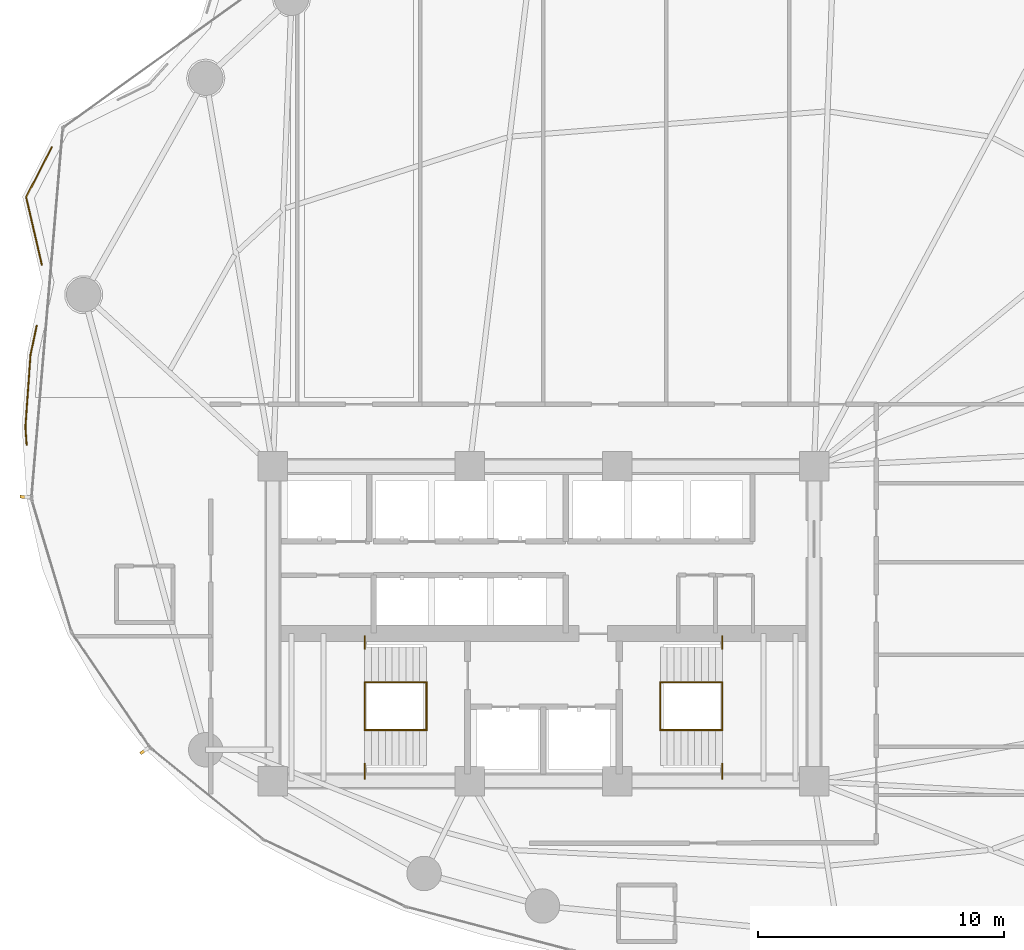
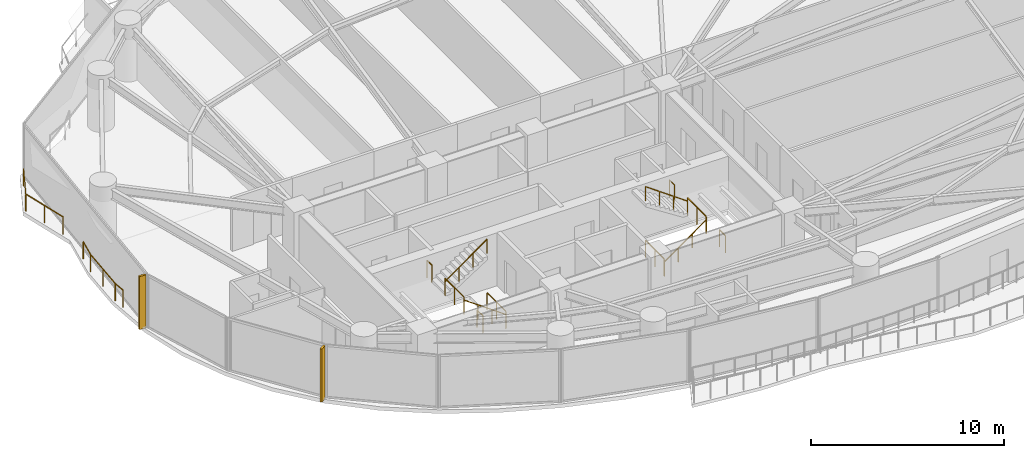
# One storey, part 28 of 30: 14 railings, 2 shading devices.
"""IFC4 building model written with IfcOpenShell, lengths in metres."""

from ifc_helpers import new_model, si_unit, direction, frame, origin, origin_2d, place, context, subcontext, project, spatial, rectangle, extrude, material, type_object, element, save


model = new_model("IFC4")

# Units and contexts
model_context = context("Model", 3, precision=1e-05, world=origin(), true_north=direction((0.0, 1.0)))
body_context = subcontext(model_context, "Body", "Model", "MODEL_VIEW")
ifc_project = project(units=[si_unit("LENGTHUNIT", "METRE"), si_unit("AREAUNIT", "SQUARE_METRE"), si_unit("VOLUMEUNIT", "CUBIC_METRE"), si_unit("PLANEANGLEUNIT", "RADIAN"), si_unit("MASSUNIT", "GRAM", prefix="KILO")], contexts=[model_context])

# Site, building, storey
site_placement = place(None, origin())
site = spatial("IfcSite", under=ifc_project, at=site_placement, CompositionType="ELEMENT")
building_placement = place(site_placement, origin())
building = spatial("IfcBuilding", under=site, at=building_placement, Name="Kazevale Care Tower and Concert Hall", CompositionType="ELEMENT")
storey_placement = place(building_placement, frame((0.0, 0.0, 70.800048828125)))
storey = spatial("IfcBuildingStorey", under=building, at=storey_placement, Name="L18", CompositionType="ELEMENT", Elevation=70.800048828125)

# Railings
ifc_material_1 = material(Name="Anodised Bronze Aluminium and Laminated Glass", Category="aluminium")
railing_type_1 = type_object("IfcRailingType", Name="Balcony and Terrace Balustrade 1120", PredefinedType="BALUSTRADE", material=ifc_material_1)
railing_1_placement = place(storey_placement, frame((11.990966796875, 37.282958984375, 0.0)))
element("IfcRailing", 1, at=railing_1_placement, inside=storey, type_object=railing_type_1, Name="rail:L18:perim:1", PredefinedType="BALUSTRADE", context=body_context, shape_type="SweptSolid", body=[
    extrude(rectangle(XDim=0.048095703125, YDim=0.048095703125, at=origin_2d()), frame((0.0, 0.0, 1.09619140625), z_axis=(-0.070981554075, 0.997477628311, 0.0), x_axis=(-0.997477628311, -0.070981554075, 0.0)), (0.0, 0.0, 1.0), 0.71875),
    extrude(rectangle(XDim=0.048095703125, YDim=0.048095703125, at=origin_2d()), frame((-0.051025390625, 0.717041015625, 1.09619140625), z_axis=(0.070669368456, 0.997499794668, 0.0), x_axis=(-0.997499794668, 0.070669368456, 0.0)), (0.0, 0.0, 1.0), 2.943359375),
    extrude(rectangle(XDim=0.048095703125, YDim=0.048095703125, at=origin_2d()), frame((0.156982421875, 3.653076171875, 1.09619140625), z_axis=(0.20840244995, 0.978043157971, 0.0), x_axis=(-0.978043157971, 0.20840244995, 0.0)), (0.0, 0.0, 1.0), 1.213623046875),
    extrude(rectangle(XDim=0.0419921875, YDim=0.0419921875, at=origin_2d()), origin(), (0.0, 0.0, 1.0), 1.072021484375),
    extrude(rectangle(XDim=0.0419921875, YDim=0.0419921875, at=origin_2d()), frame((-0.051025390625, 0.717041015625, 0.0)), (0.0, 0.0, 1.0), 1.072021484375),
    extrude(rectangle(XDim=0.0419921875, YDim=0.0419921875, at=origin_2d()), frame((0.052978515625, 2.18505859375, 0.0)), (0.0, 0.0, 1.0), 1.072021484375),
    extrude(rectangle(XDim=0.0419921875, YDim=0.0419921875, at=origin_2d()), frame((0.156982421875, 3.653076171875, 0.0)), (0.0, 0.0, 1.0), 1.072021484375),
    extrude(rectangle(XDim=0.0419921875, YDim=0.0419921875, at=origin_2d()), frame((0.409912109375, 4.840087890625, 0.0)), (0.0, 0.0, 1.0), 1.072021484375),
])
railing_2_placement = place(storey_placement, frame((12.610107421875, 44.589111328125, 0.0)))
element("IfcRailing", 2, at=railing_2_placement, inside=storey, type_object=railing_type_1, Name="rail:L18:perim:2", PredefinedType="BALUSTRADE", context=body_context, shape_type="SweptSolid", body=[
    extrude(rectangle(XDim=0.048095703125, YDim=0.048095703125, at=origin_2d()), frame((0.0, 0.0, 1.09619140625), z_axis=(-0.226258373422, 0.974067322343, 0.0), x_axis=(-0.974067322343, -0.226258373422, 0.0)), (0.0, 0.0, 1.0), 2.829345703125),
    extrude(rectangle(XDim=0.048095703125, YDim=0.048095703125, at=origin_2d()), frame((-0.64013671875, 2.755859375, 1.09619140625), z_axis=(0.456998556615, 0.889467435746, 0.0), x_axis=(-0.889467435746, 0.456998556615, 0.0)), (0.0, 0.0, 1.0), 2.2890625),
    extrude(rectangle(XDim=0.0419921875, YDim=0.0419921875, at=origin_2d()), origin(), (0.0, 0.0, 1.0), 1.072021484375),
    extrude(rectangle(XDim=0.0419921875, YDim=0.0419921875, at=origin_2d()), frame((-0.320068359375, 1.3779296875, 0.0)), (0.0, 0.0, 1.0), 1.072021484375),
    extrude(rectangle(XDim=0.0419921875, YDim=0.0419921875, at=origin_2d()), frame((-0.64013671875, 2.755859375, 0.0)), (0.0, 0.0, 1.0), 1.072021484375),
    extrude(rectangle(XDim=0.0419921875, YDim=0.0419921875, at=origin_2d()), frame((0.406005859375, 4.7919921875, 0.0)), (0.0, 0.0, 1.0), 1.072021484375),
])
ifc_material_2 = material(Name="Stainless Steel 316", Category="steel")
railing_type_2 = type_object("IfcRailingType", Name="Stair Pitch Handrail 920", PredefinedType="HANDRAIL", material=ifc_material_2)
railing_3_placement = place(storey_placement, frame((28.25, 25.679931640625, 0.0)))
element("IfcRailing", 3, at=railing_3_placement, inside=storey, type_object=railing_type_2, Name="stair:L18:ST1:hr1", PredefinedType="HANDRAIL", context=body_context, shape_type="SweptSolid", body=[
    extrude(rectangle(XDim=0.048095703125, YDim=0.048095703125, at=origin_2d()), frame((0.0, 0.0, 0.89599609375), z_axis=(-0.813728144527, 0.0, 0.581245650998), x_axis=(0.0, -1.0, 0.0)), (0.0, 0.0, 1.0), 3.096923828125),
    extrude(rectangle(XDim=0.0419921875, YDim=0.0419921875, at=origin_2d()), origin(), (0.0, 0.0, 1.0), 0.871826171875),
    extrude(rectangle(XDim=0.0419921875, YDim=0.0419921875, at=origin_2d()), frame((-0.840087890625, 0.0, 0.60009765625)), (0.0, 0.0, 1.0), 0.871826171875),
    extrude(rectangle(XDim=0.0419921875, YDim=0.0419921875, at=origin_2d()), frame((-1.679931640625, 0.0, 1.199951171875)), (0.0, 0.0, 1.0), 0.871826171875),
    extrude(rectangle(XDim=0.0419921875, YDim=0.0419921875, at=origin_2d()), frame((-2.52001953125, 0.0, 1.800048828125)), (0.0, 0.0, 1.0), 0.871826171875),
])
railing_4_placement = place(storey_placement, frame((25.72998046875, 27.6201171875, 1.800048828125)))
element("IfcRailing", 4, at=railing_4_placement, inside=storey, type_object=railing_type_2, Name="stair:L18:ST1:hr2", PredefinedType="HANDRAIL", context=body_context, shape_type="SweptSolid", body=[
    extrude(rectangle(XDim=0.048095703125, YDim=0.048095703125, at=origin_2d()), frame((0.0, 0.0, 0.89599609375), z_axis=(0.813765431312, 0.0, 0.581193446971), x_axis=(0.0, 1.0, 0.0)), (0.0, 0.0, 1.0), 3.0966796875),
    extrude(rectangle(XDim=0.0419921875, YDim=0.0419921875, at=origin_2d()), origin(), (0.0, 0.0, 1.0), 0.871826171875),
    extrude(rectangle(XDim=0.0419921875, YDim=0.0419921875, at=origin_2d()), frame((0.840087890625, 0.0, 0.599853515625)), (0.0, 0.0, 1.0), 0.871826171875),
    extrude(rectangle(XDim=0.0419921875, YDim=0.0419921875, at=origin_2d()), frame((1.679931640625, 0.0, 1.199951171875)), (0.0, 0.0, 1.0), 0.871826171875),
    extrude(rectangle(XDim=0.0419921875, YDim=0.0419921875, at=origin_2d()), frame((2.52001953125, 0.0, 1.7998046875)), (0.0, 0.0, 1.0), 0.871826171875),
])
railing_5_placement = place(storey_placement, frame((37.75, 25.679931640625, 0.0)))
element("IfcRailing", 5, at=railing_5_placement, inside=storey, type_object=railing_type_2, Name="stair:L18:ST2:hr1", PredefinedType="HANDRAIL", context=body_context, shape_type="SweptSolid", body=[
    extrude(rectangle(XDim=0.048095703125, YDim=0.048095703125, at=origin_2d()), frame((0.0, 0.0, 0.89599609375), z_axis=(0.813728144527, 0.0, 0.581245650998), x_axis=(0.0, 1.0, 0.0)), (0.0, 0.0, 1.0), 3.096923828125),
    extrude(rectangle(XDim=0.0419921875, YDim=0.0419921875, at=origin_2d()), origin(), (0.0, 0.0, 1.0), 0.871826171875),
    extrude(rectangle(XDim=0.0419921875, YDim=0.0419921875, at=origin_2d()), frame((0.840087890625, 0.0, 0.60009765625)), (0.0, 0.0, 1.0), 0.871826171875),
    extrude(rectangle(XDim=0.0419921875, YDim=0.0419921875, at=origin_2d()), frame((1.679931640625, 0.0, 1.199951171875)), (0.0, 0.0, 1.0), 0.871826171875),
    extrude(rectangle(XDim=0.0419921875, YDim=0.0419921875, at=origin_2d()), frame((2.52001953125, 0.0, 1.800048828125)), (0.0, 0.0, 1.0), 0.871826171875),
])
railing_6_placement = place(storey_placement, frame((40.27001953125, 27.6201171875, 1.800048828125)))
element("IfcRailing", 6, at=railing_6_placement, inside=storey, type_object=railing_type_2, Name="stair:L18:ST2:hr2", PredefinedType="HANDRAIL", context=body_context, shape_type="SweptSolid", body=[
    extrude(rectangle(XDim=0.048095703125, YDim=0.048095703125, at=origin_2d()), frame((0.0, 0.0, 0.89599609375), z_axis=(-0.813765431312, 0.0, 0.581193446971), x_axis=(0.0, -1.0, 0.0)), (0.0, 0.0, 1.0), 3.0966796875),
    extrude(rectangle(XDim=0.0419921875, YDim=0.0419921875, at=origin_2d()), origin(), (0.0, 0.0, 1.0), 0.871826171875),
    extrude(rectangle(XDim=0.0419921875, YDim=0.0419921875, at=origin_2d()), frame((-0.840087890625, 0.0, 0.599853515625)), (0.0, 0.0, 1.0), 0.871826171875),
    extrude(rectangle(XDim=0.0419921875, YDim=0.0419921875, at=origin_2d()), frame((-1.679931640625, 0.0, 1.199951171875)), (0.0, 0.0, 1.0), 0.871826171875),
    extrude(rectangle(XDim=0.0419921875, YDim=0.0419921875, at=origin_2d()), frame((-2.52001953125, 0.0, 1.7998046875)), (0.0, 0.0, 1.0), 0.871826171875),
])
railing_type_3 = type_object("IfcRailingType", Name="Stair Well Guard Balustrade 1120", PredefinedType="BALUSTRADE", material=ifc_material_2)
railing_7_placement = place(storey_placement, frame((25.72998046875, 23.699951171875, 1.800048828125)))
element("IfcRailing", 7, at=railing_7_placement, inside=storey, type_object=railing_type_3, Name="stair:L18:ST1:grd_side1", PredefinedType="BALUSTRADE", context=body_context, shape_type="SweptSolid", body=[
    extrude(rectangle(XDim=0.048095703125, YDim=0.048095703125, at=origin_2d()), frame((0.0, 0.0, 1.09619140625), z_axis=(0.0, 1.0, 0.0), x_axis=(-1.0, 0.0, 0.0)), (0.0, 0.0, 1.0), 0.610107421875),
    extrude(rectangle(XDim=0.0419921875, YDim=0.0419921875, at=origin_2d()), origin(), (0.0, 0.0, 1.0), 1.072021484375),
    extrude(rectangle(XDim=0.0419921875, YDim=0.0419921875, at=origin_2d()), frame((0.0, 0.610107421875, 0.0)), (0.0, 0.0, 1.0), 1.072021484375),
])
railing_8_placement = place(storey_placement, frame((25.72998046875, 28.989990234375, 1.800048828125)))
element("IfcRailing", 8, at=railing_8_placement, inside=storey, type_object=railing_type_3, Name="stair:L18:ST1:grd_side2", PredefinedType="BALUSTRADE", context=body_context, shape_type="SweptSolid", body=[
    extrude(rectangle(XDim=0.048095703125, YDim=0.048095703125, at=origin_2d()), frame((0.0, 0.0, 1.09619140625), z_axis=(0.0, 1.0, 0.0), x_axis=(-1.0, 0.0, 0.0)), (0.0, 0.0, 1.0), 0.510009765625),
    extrude(rectangle(XDim=0.0419921875, YDim=0.0419921875, at=origin_2d()), origin(), (0.0, 0.0, 1.0), 1.072021484375),
    extrude(rectangle(XDim=0.0419921875, YDim=0.0419921875, at=origin_2d()), frame((0.0, 0.510009765625, 0.0)), (0.0, 0.0, 1.0), 1.072021484375),
])
for number, where, name in (
    (9, (25.72998046875, 25.679931640625, 1.800048828125), "stair:L18:ST1:grd_mid"),
    (10, (28.25, 25.679931640625, 0.0), "stair:L18:ST1:grd_flr"),
):
    element("IfcRailing", number, at=place(storey_placement, frame(where)), inside=storey, type_object=railing_type_3, Name=name, PredefinedType="BALUSTRADE", context=body_context, shape_type="SweptSolid", body=[
        extrude(rectangle(XDim=0.048095703125, YDim=0.048095703125, at=origin_2d()), frame((0.0, 0.0, 1.09619140625), z_axis=(0.0, 1.0, 0.0), x_axis=(-1.0, 0.0, 0.0)), (0.0, 0.0, 1.0), 1.940185546875),
        extrude(rectangle(XDim=0.0419921875, YDim=0.0419921875, at=origin_2d()), origin(), (0.0, 0.0, 1.0), 1.072021484375),
        extrude(rectangle(XDim=0.0419921875, YDim=0.0419921875, at=origin_2d()), frame((0.0, 0.97021484375, 0.0)), (0.0, 0.0, 1.0), 1.072021484375),
        extrude(rectangle(XDim=0.0419921875, YDim=0.0419921875, at=origin_2d()), frame((0.0, 1.940185546875, 0.0)), (0.0, 0.0, 1.0), 1.072021484375),
    ])
railing_9_placement = place(storey_placement, frame((40.27001953125, 23.699951171875, 1.800048828125)))
element("IfcRailing", 11, at=railing_9_placement, inside=storey, type_object=railing_type_3, Name="stair:L18:ST2:grd_side1", PredefinedType="BALUSTRADE", context=body_context, shape_type="SweptSolid", body=[
    extrude(rectangle(XDim=0.048095703125, YDim=0.048095703125, at=origin_2d()), frame((0.0, 0.0, 1.09619140625), z_axis=(0.0, 1.0, 0.0), x_axis=(-1.0, 0.0, 0.0)), (0.0, 0.0, 1.0), 0.610107421875),
    extrude(rectangle(XDim=0.0419921875, YDim=0.0419921875, at=origin_2d()), origin(), (0.0, 0.0, 1.0), 1.072021484375),
    extrude(rectangle(XDim=0.0419921875, YDim=0.0419921875, at=origin_2d()), frame((0.0, 0.610107421875, 0.0)), (0.0, 0.0, 1.0), 1.072021484375),
])
railing_10_placement = place(storey_placement, frame((40.27001953125, 28.989990234375, 1.800048828125)))
element("IfcRailing", 12, at=railing_10_placement, inside=storey, type_object=railing_type_3, Name="stair:L18:ST2:grd_side2", PredefinedType="BALUSTRADE", context=body_context, shape_type="SweptSolid", body=[
    extrude(rectangle(XDim=0.048095703125, YDim=0.048095703125, at=origin_2d()), frame((0.0, 0.0, 1.09619140625), z_axis=(0.0, 1.0, 0.0), x_axis=(-1.0, 0.0, 0.0)), (0.0, 0.0, 1.0), 0.510009765625),
    extrude(rectangle(XDim=0.0419921875, YDim=0.0419921875, at=origin_2d()), origin(), (0.0, 0.0, 1.0), 1.072021484375),
    extrude(rectangle(XDim=0.0419921875, YDim=0.0419921875, at=origin_2d()), frame((0.0, 0.510009765625, 0.0)), (0.0, 0.0, 1.0), 1.072021484375),
])
for number, where, name in (
    (13, (40.27001953125, 25.679931640625, 1.800048828125), "stair:L18:ST2:grd_mid"),
    (14, (37.75, 25.679931640625, 0.0), "stair:L18:ST2:grd_flr"),
):
    element("IfcRailing", number, at=place(storey_placement, frame(where)), inside=storey, type_object=railing_type_3, Name=name, PredefinedType="BALUSTRADE", context=body_context, shape_type="SweptSolid", body=[
        extrude(rectangle(XDim=0.048095703125, YDim=0.048095703125, at=origin_2d()), frame((0.0, 0.0, 1.09619140625), z_axis=(0.0, 1.0, 0.0), x_axis=(-1.0, 0.0, 0.0)), (0.0, 0.0, 1.0), 1.940185546875),
        extrude(rectangle(XDim=0.0419921875, YDim=0.0419921875, at=origin_2d()), origin(), (0.0, 0.0, 1.0), 1.072021484375),
        extrude(rectangle(XDim=0.0419921875, YDim=0.0419921875, at=origin_2d()), frame((0.0, 0.97021484375, 0.0)), (0.0, 0.0, 1.0), 1.072021484375),
        extrude(rectangle(XDim=0.0419921875, YDim=0.0419921875, at=origin_2d()), frame((0.0, 1.940185546875, 0.0)), (0.0, 0.0, 1.0), 1.072021484375),
    ])

# Shading devices
ifc_material_3 = material(Name="Honed Ochre Limestone", Category="masonry")
shading_device_type = type_object("IfcShadingDeviceType", Name="Vertical Honed Limestone Fin FIN-01", PredefinedType="USERDEFINED", material=ifc_material_3)
for number, where, z_axis, x_axis, name in (
    (15, (16.7705078125, 24.83447265625, 0.0), (0.0, 0.0, 1.0), (-0.825999928064, -0.563670221706, 0.0), "cw:L18:f11:fin"),
    (16, (11.915283203125, 35.154296875, 0.0), (0.0, 0.0, 1.0), (-0.99643419826, 0.084373506139, 0.0), "cw:L18:f13:fin"),
):
    element("IfcShadingDevice", number, at=place(storey_placement, frame(where, z_axis=z_axis, x_axis=x_axis)), inside=storey, type_object=shading_device_type, Name=name, ObjectType="FIN", PredefinedType="USERDEFINED", context=body_context, shape_type="SweptSolid", body=[
        extrude(rectangle(XDim=0.3798828125, YDim=0.1201171875, at=origin_2d()), origin(), (0.0, 0.0, 1.0), 3.360107421875),
    ])

save(model, "model.ifc")
